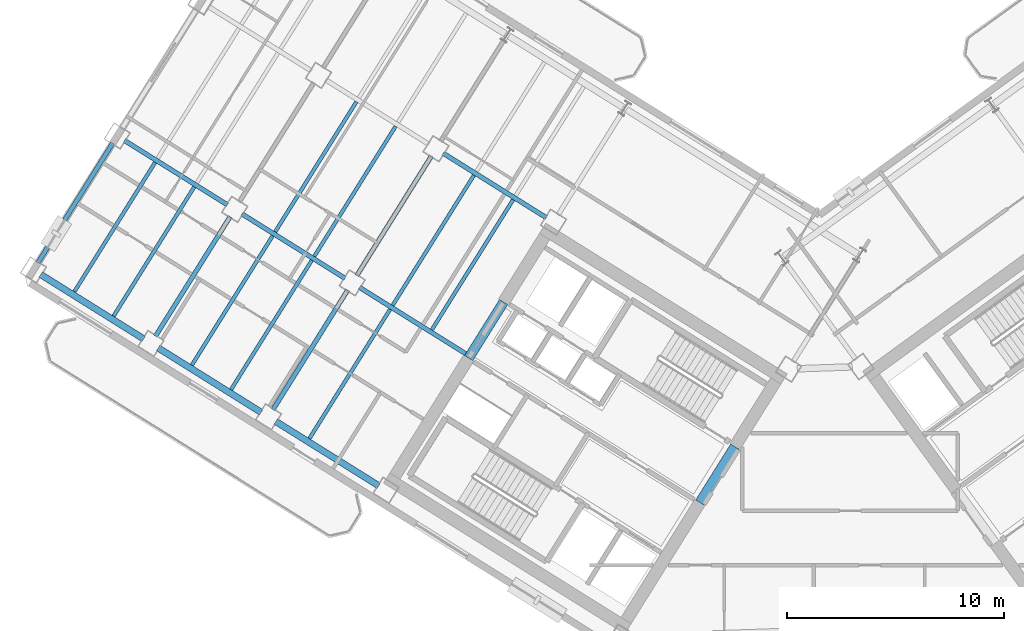
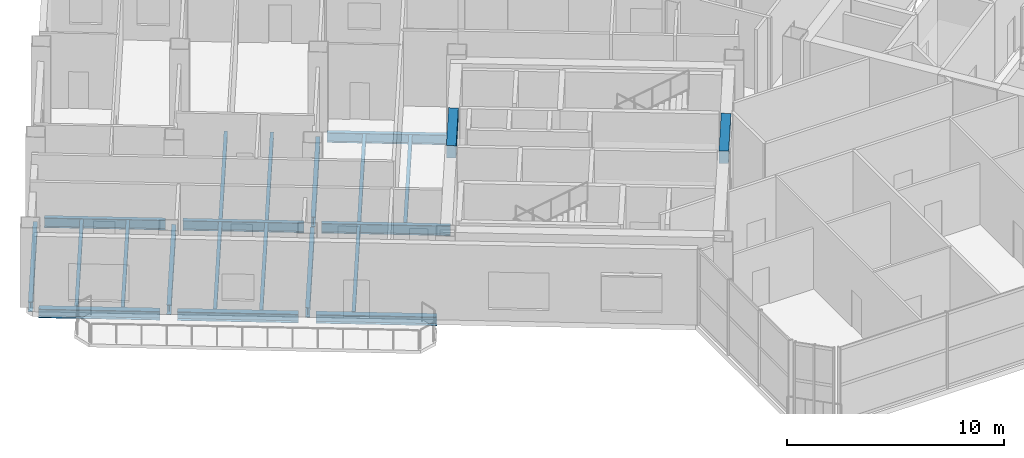
# One storey, part 5 of 21: 22 beams.
"""IFC4 building model written with IfcOpenShell, lengths in metres."""

from ifc_helpers import new_model, si_unit, direction, frame, origin, origin_2d, place, context, subcontext, project, spatial, rectangle, i_section, extrude, source, transform, mapped, material, material_profile, profile_set, type_object, element, save


model = new_model("IFC4")

# Units and contexts
model_context = context("Model", 3, precision=1e-05, world=origin(), true_north=direction((0.0, 1.0)))
body_context = subcontext(model_context, "Body", "Model", "MODEL_VIEW")
ifc_project = project(units=[si_unit("LENGTHUNIT", "METRE"), si_unit("AREAUNIT", "SQUARE_METRE"), si_unit("VOLUMEUNIT", "CUBIC_METRE"), si_unit("PLANEANGLEUNIT", "RADIAN"), si_unit("MASSUNIT", "GRAM", prefix="KILO")], contexts=[model_context])

# Site, building, storey
site_placement = place(None, origin())
site = spatial("IfcSite", under=ifc_project, at=site_placement, CompositionType="ELEMENT")
building_placement = place(site_placement, origin())
building = spatial("IfcBuilding", under=site, at=building_placement, Name="Tlacorven Tower", CompositionType="ELEMENT")
storey_placement = place(building_placement, frame((0.0, 0.0, 100.800048828125)))
storey = spatial("IfcBuildingStorey", under=building, at=storey_placement, Name="L25", CompositionType="ELEMENT", Elevation=100.800048828125)

# Beams
ifc_material_1 = material(Name="Concrete C60/75", Category="concrete")
ifc_material_profile_1 = material_profile(ifc_material_1, rectangle(XDim=0.449951171875, YDim=0.699951171875, at=origin_2d()), Name="RC 450X700")
ifc_profile_set_1 = profile_set([ifc_material_profile_1], Name="Concrete C60/75")
beam_type_1 = type_object("IfcBeamType", Name="BM-LNT-700", PredefinedType="LINTEL", material=ifc_profile_set_1)
shared_shape_1 = source(origin(), body_context, "Body", "SweptSolid", [
    extrude(rectangle(XDim=0.449951171875, YDim=0.699951171875, at=origin_2d()), origin(), (0.0, 0.0, 1.0), 3.050048828125),
])
beam_1_placement = place(storey_placement, frame((38.2998046875, 20.890625, 3.89990234375), z_axis=(-0.529984549635, -0.848007297815, 0.0), x_axis=(0.848007297815, -0.529984549635, 0.0)))
element("IfcBeam", 1, at=beam_1_placement, inside=storey, type_object=beam_type_1, Name="L25 W core coupling lintel beam E1", PredefinedType="LINTEL", context=body_context, shape_type="MappedRepresentation", body=[
    mapped(shared_shape_1, transform((0.0, 0.0, 0.0), scale=1.0)),
])
shared_shape_2 = source(origin(), body_context, "Body", "SweptSolid", [
    extrude(rectangle(XDim=0.449951171875, YDim=0.699951171875, at=origin_2d()), origin(), (0.0, 0.0, 1.0), 3.0498046875),
])
beam_2_placement = place(storey_placement, frame((27.622802734375, 27.562255859375, 3.89990234375), z_axis=(-0.529926983584, -0.848043272522, 0.0), x_axis=(0.848043272522, -0.529926983584, 0.0)))
element("IfcBeam", 2, at=beam_2_placement, inside=storey, type_object=beam_type_1, Name="L25 W core coupling lintel beam E2", PredefinedType="LINTEL", context=body_context, shape_type="MappedRepresentation", body=[
    mapped(shared_shape_2, transform((0.0, 0.0, 0.0), scale=1.0)),
])
ifc_material_2 = material(Name="Steel S355J2", Category="steel")
ifc_material_profile_2 = material_profile(ifc_material_2, i_section(OverallWidth=0.2099609375, OverallDepth=0.550048828125, WebThickness=0.010986328125, FlangeThickness=0.01708984375, at=origin_2d()), Name="IPE 550")
ifc_profile_set_2 = profile_set([ifc_material_profile_2], Name="Steel S355J2")
beam_type_2 = type_object("IfcBeamType", Name="BM-TWR-550", PredefinedType="BEAM", material=ifc_profile_set_2)
shared_shape_3 = source(origin(), body_context, "Body", "SweptSolid", [
    extrude(i_section(OverallWidth=0.2099609375, OverallDepth=0.550048828125, WebThickness=0.010986328125, FlangeThickness=0.01708984375, at=origin_2d()), origin(), (0.0, 0.0, 1.0), 5.599853515625),
])
for number, where, z_axis, x_axis, name in (
    (3, (29.588623046875, 31.46337890625, -0.554931640625), (-0.848047285686, 0.529920561254, 0.0), (-0.529920561254, -0.848047285686, 0.0), "L25 beam BM-L25-WL2-3"),
    (4, (20.292724609375, 28.6640625, -0.554931640625), (-0.848047285686, 0.529920561254, 0.0), (-0.529920561254, -0.848047285686, 0.0), "L25 beam BM-L25-WL3-4"),
):
    element("IfcBeam", number, at=place(storey_placement, frame(where, z_axis=z_axis, x_axis=x_axis)), inside=storey, type_object=beam_type_2, Name=name, PredefinedType="BEAM", context=body_context, shape_type="MappedRepresentation", body=[
        mapped(shared_shape_3, transform((0.0, 0.0, 0.0), scale=1.0)),
    ])
shared_shape_4 = source(origin(), body_context, "Body", "SweptSolid", [
    extrude(i_section(OverallWidth=0.2099609375, OverallDepth=0.550048828125, WebThickness=0.010986328125, FlangeThickness=0.01708984375, at=origin_2d()), origin(), (0.0, 0.0, 1.0), 5.960205078125),
])
beam_3_placement = place(storey_placement, frame((26.025634765625, 25.081787109375, -0.554931640625), z_axis=(-0.848042024898, 0.529928980153, 0.0), x_axis=(-0.529928980153, -0.848042024898, 0.0)))
element("IfcBeam", 5, at=beam_3_placement, inside=storey, type_object=beam_type_2, Name="L25 beam BM-L25-WL3-3", PredefinedType="BEAM", context=body_context, shape_type="MappedRepresentation", body=[
    mapped(shared_shape_4, transform((0.0, 0.0, 0.0), scale=1.0)),
])
shared_shape_5 = source(origin(), body_context, "Body", "SweptSolid", [
    extrude(i_section(OverallWidth=0.2099609375, OverallDepth=0.550048828125, WebThickness=0.010986328125, FlangeThickness=0.01708984375, at=origin_2d()), origin(), (0.0, 0.0, 1.0), 5.60009765625),
])
beam_4_placement = place(storey_placement, frame((14.865234375, 32.055419921875, -0.554931640625), z_axis=(-0.848027693204, 0.529951914384, 0.0), x_axis=(-0.529951914384, -0.848027693204, 0.0)))
element("IfcBeam", 6, at=beam_4_placement, inside=storey, type_object=beam_type_2, Name="L25 beam BM-L25-WL3-5", PredefinedType="BEAM", context=body_context, shape_type="MappedRepresentation", body=[
    mapped(shared_shape_5, transform((0.0, 0.0, 0.0), scale=1.0)),
])
ifc_material_profile_3 = material_profile(ifc_material_2, i_section(OverallWidth=0.300048828125, OverallDepth=0.489990234375, WebThickness=0.011962890625, FlangeThickness=0.02294921875, at=origin_2d()), Name="HEA 500")
ifc_profile_set_3 = profile_set([ifc_material_profile_3], Name="Steel S355J2")
beam_type_3 = type_object("IfcBeamType", Name="BM-SPN-500", PredefinedType="SPANDREL", material=ifc_profile_set_3)
shared_shape_6 = source(origin(), body_context, "Body", "SweptSolid", [
    extrude(i_section(OverallWidth=0.300048828125, OverallDepth=0.489990234375, WebThickness=0.011962890625, FlangeThickness=0.02294921875, at=origin_2d()), origin(), (0.0, 0.0, 1.0), 5.599853515625),
])
for number, where, z_axis, x_axis, name in (
    (7, (21.851806640625, 19.081787109375, -0.525146484375), (-0.848047285686, 0.529920561254, 0.0), (-0.529920561254, -0.848047285686, 0.0), "L25 beam BM-L25-WL4-3"),
    (8, (16.42431640625, 22.473388671875, -0.525146484375), (-0.848047285686, 0.529920561254, 0.0), (-0.529920561254, -0.848047285686, 0.0), "L25 beam BM-L25-WL4-4"),
    (9, (10.996826171875, 25.86474609375, -0.525146484375), (-0.848047285686, 0.529920561254, 0.0), (-0.529920561254, -0.848047285686, 0.0), "L25 beam BM-L25-WL4-5"),
):
    element("IfcBeam", number, at=place(storey_placement, frame(where, z_axis=z_axis, x_axis=x_axis)), inside=storey, type_object=beam_type_3, Name=name, PredefinedType="SPANDREL", context=body_context, shape_type="MappedRepresentation", body=[
        mapped(shared_shape_6, transform((0.0, 0.0, 0.0), scale=1.0)),
    ])
shared_shape_7 = source(origin(), body_context, "Body", "SweptSolid", [
    extrude(i_section(OverallWidth=0.2099609375, OverallDepth=0.550048828125, WebThickness=0.010986328125, FlangeThickness=0.01708984375, at=origin_2d()), origin(), (0.0, 0.0, 1.0), 6.500244140625),
])
beam_5_placement = place(storey_placement, frame((24.28857421875, 34.3037109375, -0.554931640625), z_axis=(-0.529921287515, -0.848046831866, 0.0), x_axis=(0.848046831866, -0.529921287515, 0.0)))
element("IfcBeam", 10, at=beam_5_placement, inside=storey, type_object=beam_type_2, Name="L25 beam BM-L25-WT4-2", PredefinedType="BEAM", context=body_context, shape_type="MappedRepresentation", body=[
    mapped(shared_shape_7, transform((0.0, 0.0, 0.0), scale=1.0)),
])
shared_shape_8 = source(origin(), body_context, "Body", "SweptSolid", [
    extrude(i_section(OverallWidth=0.2099609375, OverallDepth=0.550048828125, WebThickness=0.010986328125, FlangeThickness=0.01708984375, at=origin_2d()), origin(), (0.0, 0.0, 1.0), 6.5),
])
for number, where, z_axis, x_axis, name in (
    (11, (20.420166015625, 28.11279296875, -0.554931640625), (-0.529938166933, -0.848036284146, 0.0), (0.848036284146, -0.529938166933, 0.0), "L25 beam BM-L25-WT4-3"),
    (12, (14.992431640625, 31.50439453125, -0.554931640625), (-0.529894274829, -0.848063710757, 0.0), (0.848063710757, -0.529894274829, 0.0), "L25 beam BM-L25-WT5-3"),
):
    element("IfcBeam", number, at=place(storey_placement, frame(where, z_axis=z_axis, x_axis=x_axis)), inside=storey, type_object=beam_type_2, Name=name, PredefinedType="BEAM", context=body_context, shape_type="MappedRepresentation", body=[
        mapped(shared_shape_8, transform((0.0, 0.0, 0.0), scale=1.0)),
    ])
shared_shape_9 = source(origin(), body_context, "Body", "SweptSolid", [
    extrude(i_section(OverallWidth=0.2099609375, OverallDepth=0.550048828125, WebThickness=0.010986328125, FlangeThickness=0.01708984375, at=origin_2d()), origin(), (0.0, 0.0, 1.0), 6.499755859375),
])
beam_6_placement = place(storey_placement, frame((9.56494140625, 34.895751953125, -0.554931640625), z_axis=(-0.529911154058, -0.848053163902, 0.0), x_axis=(0.848053163902, -0.529911154058, 0.0)))
element("IfcBeam", 13, at=beam_6_placement, inside=storey, type_object=beam_type_2, Name="L25 beam BM-L25-WT6-3", PredefinedType="BEAM", context=body_context, shape_type="MappedRepresentation", body=[
    mapped(shared_shape_9, transform((0.0, 0.0, 0.0), scale=1.0)),
])
ifc_material_profile_4 = material_profile(ifc_material_2, i_section(OverallWidth=0.169921875, OverallDepth=0.360107421875, WebThickness=0.008056640625, FlangeThickness=0.0126953125, at=origin_2d()), Name="IPE 360")
ifc_profile_set_4 = profile_set([ifc_material_profile_4], Name="Steel S355J2")
beam_type_4 = type_object("IfcBeamType", Name="BM-JST-360", PredefinedType="JOIST", material=ifc_profile_set_4)
shared_shape_10 = source(origin(), body_context, "Body", "SweptSolid", [
    extrude(i_section(OverallWidth=0.169921875, OverallDepth=0.360107421875, WebThickness=0.008056640625, FlangeThickness=0.0126953125, at=origin_2d()), origin(), (0.0, 0.0, 1.0), 7.080078125),
])
for number, where, z_axis, x_axis, name in (
    (14, (28.060546875, 32.28857421875, -0.4599609375), (-0.529933847046, -0.848038983629, 0.0), (0.848038983629, -0.529933847046, 0.0), "L25 beam BM-L25-WJ3-2-1"),
    (15, (26.251220703125, 33.419189453125, -0.4599609375), (-0.529893550998, -0.848064163027, 0.0), (0.848064163027, -0.529893550998, 0.0), "L25 beam BM-L25-WJ3-2-2"),
    (16, (22.633056640625, 35.679931640625, -0.4599609375), (-0.529933847046, -0.848038983629, 0.0), (0.848038983629, -0.529933847046, 0.0), "L25 beam BM-L25-WJ4-2-1"),
):
    element("IfcBeam", number, at=place(storey_placement, frame(where, z_axis=z_axis, x_axis=x_axis)), inside=storey, type_object=beam_type_4, Name=name, PredefinedType="JOIST", context=body_context, shape_type="MappedRepresentation", body=[
        mapped(shared_shape_10, transform((0.0, 0.0, 0.0), scale=1.0)),
    ])
shared_shape_11 = source(origin(), body_context, "Body", "SweptSolid", [
    extrude(i_section(OverallWidth=0.169921875, OverallDepth=0.360107421875, WebThickness=0.008056640625, FlangeThickness=0.0126953125, at=origin_2d()), origin(), (0.0, 0.0, 1.0), 7.03515625),
])
for number, where, z_axis, x_axis, name in (
    (17, (22.3828125, 27.228271484375, -0.4599609375), (-0.529920952588, -0.848047041153, 0.0), (0.848047041153, -0.529920952588, 0.0), "L25 beam BM-L25-WJ3-3-2"),
    (18, (18.7646484375, 29.4892578125, -0.4599609375), (-0.529920952588, -0.848047041153, 0.0), (0.848047041153, -0.529920952588, 0.0), "L25 beam BM-L25-WJ4-3-1"),
    (19, (16.955322265625, 30.619873046875, -0.4599609375), (-0.529920952588, -0.848047041153, 0.0), (0.848047041153, -0.529920952588, 0.0), "L25 beam BM-L25-WJ4-3-2"),
    (20, (13.337158203125, 32.880859375, -0.4599609375), (-0.529920952588, -0.848047041153, 0.0), (0.848047041153, -0.529920952588, 0.0), "L25 beam BM-L25-WJ5-3-1"),
    (21, (11.52783203125, 34.01123046875, -0.4599609375), (-0.529920952588, -0.848047041153, 0.0), (0.848047041153, -0.529920952588, 0.0), "L25 beam BM-L25-WJ5-3-2"),
):
    element("IfcBeam", number, at=place(storey_placement, frame(where, z_axis=z_axis, x_axis=x_axis)), inside=storey, type_object=beam_type_4, Name=name, PredefinedType="JOIST", context=body_context, shape_type="MappedRepresentation", body=[
        mapped(shared_shape_11, transform((0.0, 0.0, 0.0), scale=1.0)),
    ])
shared_shape_12 = source(origin(), body_context, "Body", "SweptSolid", [
    extrude(i_section(OverallWidth=0.169921875, OverallDepth=0.360107421875, WebThickness=0.008056640625, FlangeThickness=0.0126953125, at=origin_2d()), origin(), (0.0, 0.0, 1.0), 7.079833984375),
])
beam_7_placement = place(storey_placement, frame((20.82373046875, 36.810546875, -0.4599609375), z_axis=(-0.529909047265, -0.848054480341, 0.0), x_axis=(0.848054480341, -0.529909047265, 0.0)))
element("IfcBeam", 22, at=beam_7_placement, inside=storey, type_object=beam_type_4, Name="L25 beam BM-L25-WJ4-2-2", PredefinedType="JOIST", context=body_context, shape_type="MappedRepresentation", body=[
    mapped(shared_shape_12, transform((0.0, 0.0, 0.0), scale=1.0)),
])

save(model, "model.ifc")
